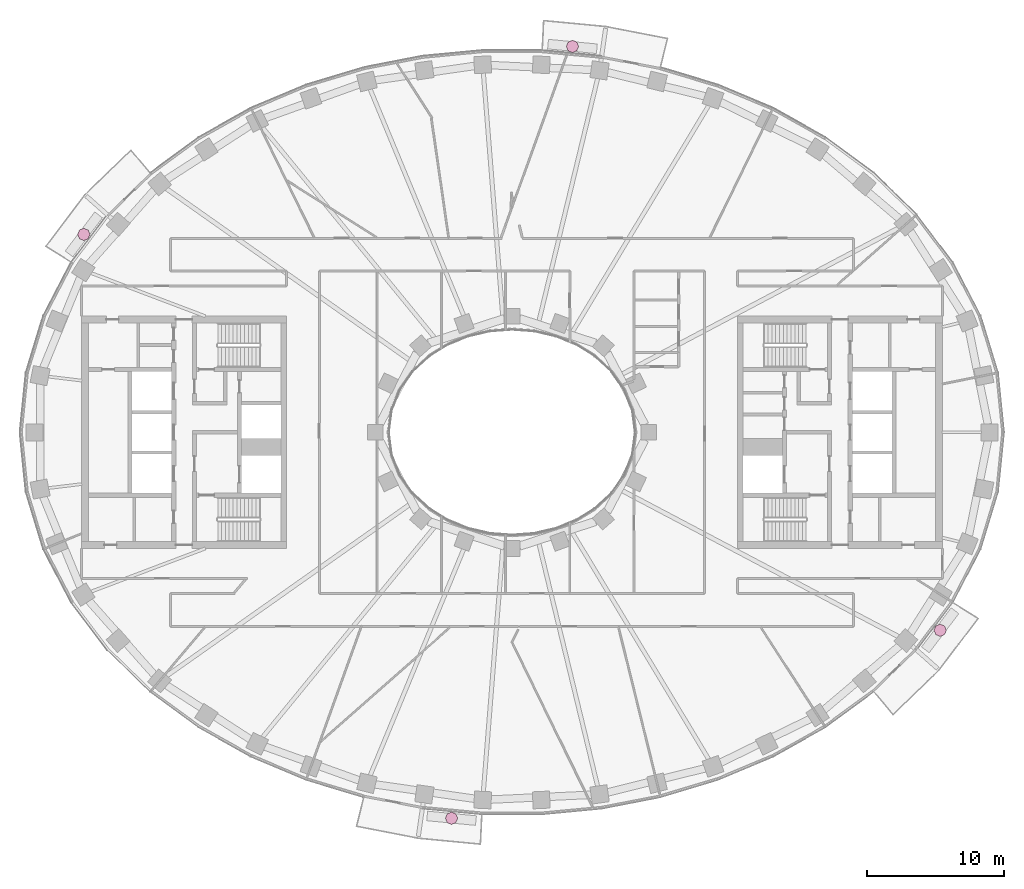
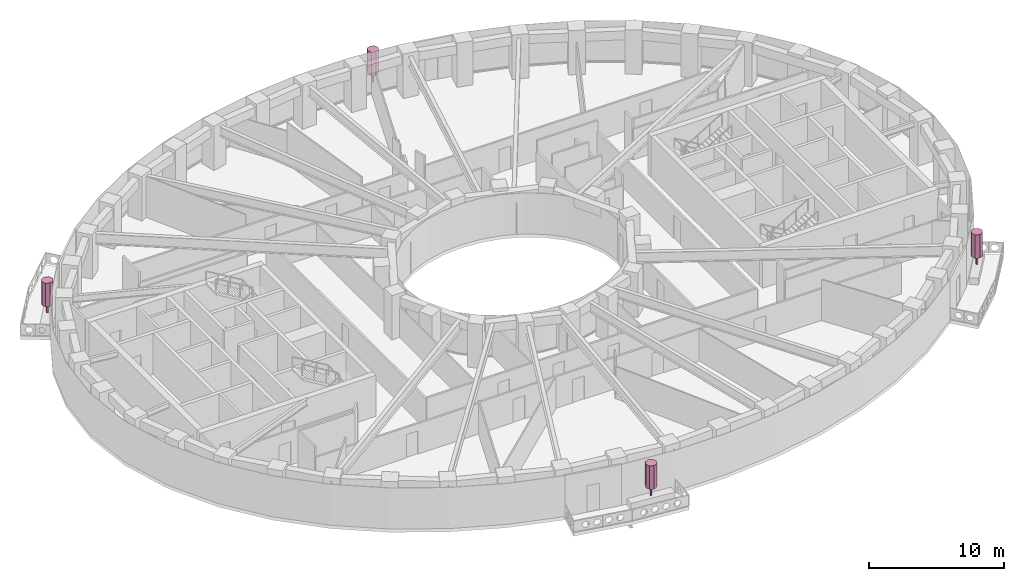
# One storey, part 16 of 16: 4 furnishings.
"""IFC4 building model written with IfcOpenShell, lengths in metres."""

from ifc_helpers import new_model, si_unit, direction, frame, origin, origin_2d, place, context, subcontext, project, spatial, polyline, rectangle, outline, extrude, material, type_object, element, save


model = new_model("IFC4")

# Units and contexts
model_context = context("Model", 3, precision=1e-05, world=origin(), true_north=direction((0.0, 1.0)))
body_context = subcontext(model_context, "Body", "Model", "MODEL_VIEW")
ifc_project = project(units=[si_unit("LENGTHUNIT", "METRE"), si_unit("AREAUNIT", "SQUARE_METRE"), si_unit("VOLUMEUNIT", "CUBIC_METRE"), si_unit("PLANEANGLEUNIT", "RADIAN"), si_unit("MASSUNIT", "GRAM", prefix="KILO")], contexts=[model_context])

# Site, building, storey
site_placement = place(None, origin())
site = spatial("IfcSite", under=ifc_project, at=site_placement, CompositionType="ELEMENT")
building_placement = place(site_placement, origin())
building = spatial("IfcBuilding", under=site, at=building_placement, Name="Noorbagh Ring Tower", CompositionType="ELEMENT")
storey_placement = place(building_placement, frame((0.0, 0.0, 124.0)))
storey = spatial("IfcBuildingStorey", under=building, at=storey_placement, Name="L28", CompositionType="ELEMENT", Elevation=124.0)

# Furnishings
ifc_material = material(Name="Planting foliage green")
furnishing_element_type = type_object("IfcFurnishingElementType", Name="ENV-TREE", material=ifc_material)
for number, where, z_axis, x_axis, name in (
    (1, (4.423828125, 28.2373046875, 0.60009765625), (0.0, 0.0, 1.0), (1.0, 0.0, 0.0), "Tree BN03"),
    (2, (-31.329833984375, 14.4833984375, 0.60009765625), (0.0, 0.0, 1.0), (1.0, 0.0, 0.0), "Tree BN06"),
    (3, (-4.423828125, -28.2373046875, 0.60009765625), (0.0, 0.0, 1.0), (1.0, 0.0, 0.0), "Tree BS03"),
    (4, (31.329833984375, -14.4833984375, 0.60009765625), (0.0, 0.0, 1.0), (1.0, 0.0, 0.0), "Tree BS06"),
):
    element("IfcFurnishingElement", number, at=place(storey_placement, frame(where, z_axis=z_axis, x_axis=x_axis)), inside=storey, type_object=furnishing_element_type, Name=name, context=body_context, shape_type="SweptSolid", body=[
        extrude(rectangle(XDim=0.1201171875, YDim=0.1201171875, at=origin_2d()), origin(), (0.0, 0.0, 1.0), 0.825927734375),
        extrude(outline(polyline([(0.449951171875, 0.0), (0.318115234375, 0.318115234375), (0.0, 0.449951171875), (-0.318115234375, 0.318115234375), (-0.449951171875, 0.0), (-0.318115234375, -0.318115234375), (0.0, -0.449951171875), (0.318115234375, -0.318115234375), (0.449951171875, 0.0)])), frame((0.0, 0.0, 0.825927734375)), (0.0, 0.0, 1.0), 2.1240234375),
    ])

save(model, "model.ifc")
